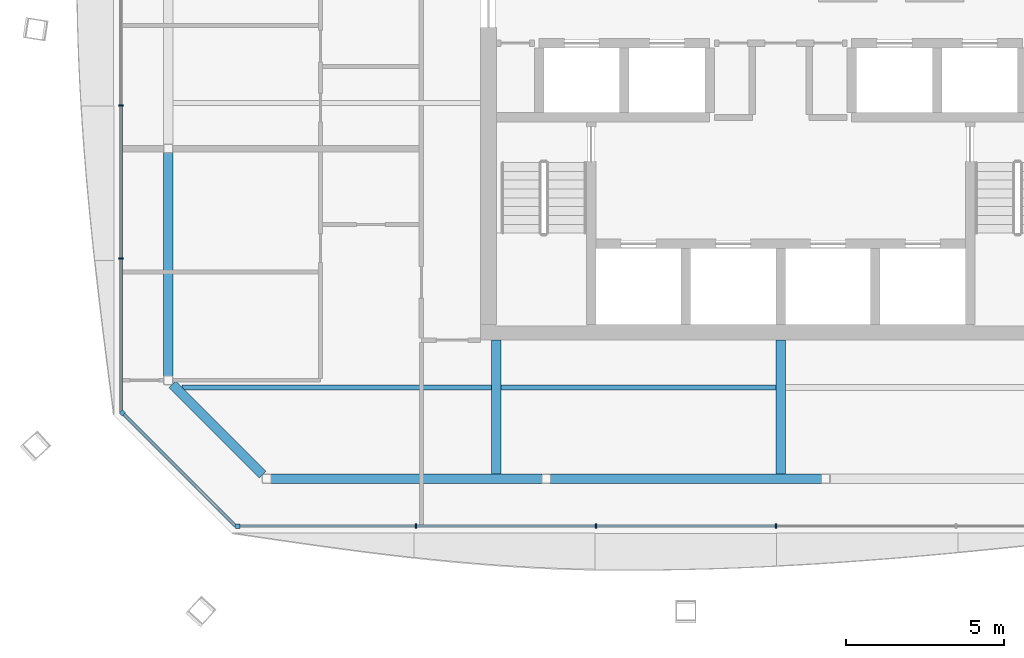
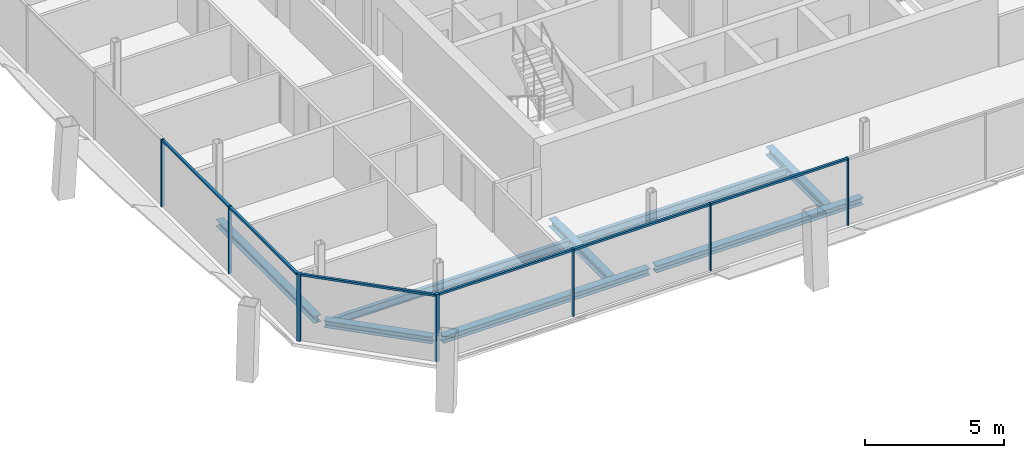
# One storey, part 3 of 15: 13 members, 8 beams, 3 elements without a shape of their own.
"""IFC4 building model written with IfcOpenShell, lengths in metres."""

from ifc_helpers import new_model, si_unit, direction, frame, origin, origin_2d, place, context, subcontext, project, spatial, rectangle, i_section, extrude, material, material_profile, profile_set, type_object, element, aggregate, save


model = new_model("IFC4")

# Units and contexts
model_context = context("Model", 3, precision=1e-05, world=origin(), true_north=direction((0.0, 1.0)))
body_context = subcontext(model_context, "Body", "Model", "MODEL_VIEW")
ifc_project = project(units=[si_unit("LENGTHUNIT", "METRE"), si_unit("AREAUNIT", "SQUARE_METRE"), si_unit("VOLUMEUNIT", "CUBIC_METRE"), si_unit("PLANEANGLEUNIT", "RADIAN"), si_unit("MASSUNIT", "GRAM", prefix="KILO")], contexts=[model_context])

# Site, building, storey
site_placement = place(None, origin())
site = spatial("IfcSite", under=ifc_project, at=site_placement, CompositionType="ELEMENT")
building_placement = place(site_placement, origin())
building = spatial("IfcBuilding", under=site, at=building_placement, Name="Tskaro Facet Tower", CompositionType="ELEMENT")
storey_placement = place(building_placement, frame((0.0, 0.0, 242.39990234375)))
storey = spatial("IfcBuildingStorey", under=building, at=storey_placement, Name="L63", CompositionType="ELEMENT", Elevation=242.39990234375)

# Curtain wall, member
ifc_material_1 = material(Name="Bronze anodised aluminium 6063-T6", Category="aluminium")
curtain_wall_type = type_object("IfcCurtainWallType", Name="Bronze residence curtain wall (FW3)", PredefinedType="NOTDEFINED", material=ifc_material_1)
curtain_wall_1_placement = place(storey_placement, origin())
curtain_wall_1 = element("IfcCurtainWall", 1, at=curtain_wall_1_placement, inside=storey, type_object=curtain_wall_type, Name="FW3 south facet L63", PredefinedType="NOTDEFINED")
ifc_material_profile_1 = material_profile(ifc_material_1, rectangle(XDim=0.139892578125, YDim=0.139892578125, at=origin_2d()), Name="Corner post 140x140")
ifc_profile_set_1 = profile_set([ifc_material_profile_1], Name="Bronze anodised aluminium 6063-T6")
member_type_1 = type_object("IfcMemberType", Name="FW3 bronze corner post 140x140", PredefinedType="MULLION", material=ifc_profile_set_1)
member_1_placement = place(storey_placement, frame((-17.18310546875, -17.888916015625, 0.0), z_axis=(0.0, 0.0, 1.0), x_axis=(1.0, 0.0, 0.0)))
member_1 = element("IfcMember", 2, at=member_1_placement, type_object=member_type_1, Name="FW3 south corner post", PredefinedType="MULLION", context=body_context, shape_type="SweptSolid", body=[
    extrude(rectangle(XDim=0.139892578125, YDim=0.139892578125, at=origin_2d()), origin(), (0.0, 0.0, 1.0), 2.9501953125),
])

curtain_wall_2_placement = place(storey_placement, origin())
curtain_wall_2 = element("IfcCurtainWall", 3, at=curtain_wall_2_placement, inside=storey, type_object=curtain_wall_type, Name="FW3 south-west facet L63", PredefinedType="NOTDEFINED")
member_2_placement = place(storey_placement, frame((-20.839599609375, -14.302490234375, 0.0), z_axis=(0.0, 0.0, 1.0), x_axis=(0.707106781187, -0.707106781187, 0.0)))
member_2 = element("IfcMember", 4, at=member_2_placement, type_object=member_type_1, Name="FW3 south-west corner post", PredefinedType="MULLION", context=body_context, shape_type="SweptSolid", body=[
    extrude(rectangle(XDim=0.139892578125, YDim=0.139892578125, at=origin_2d()), origin(), (0.0, 0.0, 1.0), 2.9501953125),
])

# Member
ifc_material_profile_2 = material_profile(ifc_material_1, rectangle(XDim=0.050048828125, YDim=0.139892578125, at=origin_2d()), Name="Mullion 50x140")
ifc_profile_set_2 = profile_set([ifc_material_profile_2], Name="Bronze anodised aluminium 6063-T6")
member_type_2 = type_object("IfcMemberType", Name="FW3 bronze mullion 50x140", PredefinedType="MULLION", material=ifc_profile_set_2)
member_3_placement = place(storey_placement, frame((-11.5517578125, -17.888916015625, 0.0), z_axis=(0.0, 0.0, 1.0), x_axis=(1.0, 0.0, 0.0)))
member_3 = element("IfcMember", 5, at=member_3_placement, type_object=member_type_2, Name="FW3 south mullion 1", PredefinedType="MULLION", context=body_context, shape_type="SweptSolid", body=[
    extrude(rectangle(XDim=0.050048828125, YDim=0.139892578125, at=origin_2d()), origin(), (0.0, 0.0, 1.0), 2.9501953125),
])

member_4_placement = place(storey_placement, frame((-5.8505859375, -17.888916015625, 0.0), z_axis=(0.0, 0.0, 1.0), x_axis=(1.0, 0.0, 0.0)))
member_4 = element("IfcMember", 6, at=member_4_placement, type_object=member_type_2, Name="FW3 south mullion 2", PredefinedType="MULLION", context=body_context, shape_type="SweptSolid", body=[
    extrude(rectangle(XDim=0.050048828125, YDim=0.139892578125, at=origin_2d()), origin(), (0.0, 0.0, 1.0), 2.9501953125),
])

member_5_placement = place(storey_placement, frame((-0.1494140625, -17.888916015625, 0.0), z_axis=(0.0, 0.0, 1.0), x_axis=(1.0, 0.0, 0.0)))
member_5 = element("IfcMember", 7, at=member_5_placement, type_object=member_type_2, Name="FW3 south mullion 3", PredefinedType="MULLION", context=body_context, shape_type="SweptSolid", body=[
    extrude(rectangle(XDim=0.050048828125, YDim=0.139892578125, at=origin_2d()), origin(), (0.0, 0.0, 1.0), 2.9501953125),
])

# Curtain wall, members
curtain_wall_3_placement = place(storey_placement, origin())
curtain_wall_3 = element("IfcCurtainWall", 8, at=curtain_wall_3_placement, inside=storey, type_object=curtain_wall_type, Name="FW3 west facet L63", PredefinedType="NOTDEFINED")
member_6_placement = place(storey_placement, frame((-20.888916015625, -4.572509765625, 0.0), z_axis=(0.0, 0.0, 1.0), x_axis=(0.0, -1.0, 0.0)))
member_6 = element("IfcMember", 9, at=member_6_placement, type_object=member_type_2, Name="FW3 west mullion 3", PredefinedType="MULLION", context=body_context, shape_type="SweptSolid", body=[
    extrude(rectangle(XDim=0.050048828125, YDim=0.139892578125, at=origin_2d()), origin(), (0.0, 0.0, 1.0), 2.9501953125),
])
member_7_placement = place(storey_placement, frame((-20.888916015625, -9.412841796875, 0.0), z_axis=(0.0, 0.0, 1.0), x_axis=(0.0, -1.0, 0.0)))
member_7 = element("IfcMember", 10, at=member_7_placement, type_object=member_type_2, Name="FW3 west mullion 4", PredefinedType="MULLION", context=body_context, shape_type="SweptSolid", body=[
    extrude(rectangle(XDim=0.050048828125, YDim=0.139892578125, at=origin_2d()), origin(), (0.0, 0.0, 1.0), 2.9501953125),
])

# Member
ifc_material_profile_3 = material_profile(ifc_material_1, rectangle(XDim=0.10009765625, YDim=0.090087890625, at=origin_2d()), Name="Transom 100x90")
ifc_profile_set_3 = profile_set([ifc_material_profile_3], Name="Bronze anodised aluminium 6063-T6")
member_type_3 = type_object("IfcMemberType", Name="FW3 bronze transom 100x90", PredefinedType="USERDEFINED", material=ifc_profile_set_3)
member_8_placement = place(storey_placement, frame((-17.113037109375, -17.888916015625, 2.905029296875), z_axis=(1.0, 0.0, 0.0), x_axis=(0.0, 1.0, 0.0)))
member_8 = element("IfcMember", 11, at=member_8_placement, type_object=member_type_3, Name="FW3 south transom 1.1", ObjectType="TRANSOM", PredefinedType="USERDEFINED", context=body_context, shape_type="SweptSolid", body=[
    extrude(rectangle(XDim=0.10009765625, YDim=0.090087890625, at=origin_2d()), origin(), (0.0, 0.0, 1.0), 5.5361328125),
])

member_9_placement = place(storey_placement, frame((-11.52685546875, -17.888916015625, 2.905029296875), z_axis=(1.0, 0.0, 0.0), x_axis=(0.0, 1.0, 0.0)))
member_9 = element("IfcMember", 12, at=member_9_placement, type_object=member_type_3, Name="FW3 south transom 2.1", ObjectType="TRANSOM", PredefinedType="USERDEFINED", context=body_context, shape_type="SweptSolid", body=[
    extrude(rectangle(XDim=0.10009765625, YDim=0.090087890625, at=origin_2d()), origin(), (0.0, 0.0, 1.0), 5.6513671875),
])

member_10_placement = place(storey_placement, frame((-5.82568359375, -17.888916015625, 2.905029296875), z_axis=(1.0, 0.0, 0.0), x_axis=(0.0, 1.0, 0.0)))
member_10 = element("IfcMember", 13, at=member_10_placement, type_object=member_type_3, Name="FW3 south transom 3.1", ObjectType="TRANSOM", PredefinedType="USERDEFINED", context=body_context, shape_type="SweptSolid", body=[
    extrude(rectangle(XDim=0.10009765625, YDim=0.090087890625, at=origin_2d()), origin(), (0.0, 0.0, 1.0), 5.6513671875),
])

aggregate(curtain_wall_1, [member_1, member_3, member_4, member_5, member_8, member_9, member_10])

member_11_placement = place(storey_placement, frame((-20.888916015625, -4.59765625, 2.905029296875), z_axis=(0.0, -1.0, 0.0), x_axis=(1.0, 0.0, 0.0)))
member_11 = element("IfcMember", 14, at=member_11_placement, type_object=member_type_3, Name="FW3 west transom 4.1", ObjectType="TRANSOM", PredefinedType="USERDEFINED", context=body_context, shape_type="SweptSolid", body=[
    extrude(rectangle(XDim=0.10009765625, YDim=0.090087890625, at=origin_2d()), origin(), (0.0, 0.0, 1.0), 4.7900390625),
])

member_12_placement = place(storey_placement, frame((-20.888916015625, -9.437744140625, 2.905029296875), z_axis=(0.0, -1.0, 0.0), x_axis=(1.0, 0.0, 0.0)))
member_12 = element("IfcMember", 15, at=member_12_placement, type_object=member_type_3, Name="FW3 west transom 5.1", ObjectType="TRANSOM", PredefinedType="USERDEFINED", context=body_context, shape_type="SweptSolid", body=[
    extrude(rectangle(XDim=0.10009765625, YDim=0.090087890625, at=origin_2d()), origin(), (0.0, 0.0, 1.0), 4.815185546875),
])

aggregate(curtain_wall_3, [member_6, member_7, member_11, member_12])

member_13_placement = place(storey_placement, frame((-20.7900390625, -14.35205078125, 2.905029296875), z_axis=(0.707131184796, -0.707082376735, 0.0), x_axis=(0.707082376735, 0.707131184796, 0.0)))
member_13 = element("IfcMember", 16, at=member_13_placement, type_object=member_type_3, Name="FW3 south-west transom 1.1", ObjectType="TRANSOM", PredefinedType="USERDEFINED", context=body_context, shape_type="SweptSolid", body=[
    extrude(rectangle(XDim=0.10009765625, YDim=0.090087890625, at=origin_2d()), origin(), (0.0, 0.0, 1.0), 5.001953125),
])

aggregate(curtain_wall_2, [member_2, member_13])

# Beams
ifc_material_2 = material(Name="Steel S355J2", Category="steel")
ifc_material_profile_4 = material_profile(ifc_material_2, i_section(OverallWidth=0.300048828125, OverallDepth=0.300048828125, WebThickness=0.010986328125, FlangeThickness=0.01904296875, FilletRadius=0.027099609375, at=origin_2d()), Name="HE 300 B")
ifc_profile_set_4 = profile_set([ifc_material_profile_4], Name="Steel S355J2")
beam_type_1 = type_object("IfcBeamType", Name="HE 300 B ring beam", PredefinedType="BEAM", material=ifc_profile_set_4)
beam_1_placement = place(storey_placement, frame((-16.137939453125, -16.39111328125, -0.289794921875), z_axis=(1.0, 0.0, 0.0), x_axis=(0.0, 1.0, 0.0)))
element("IfcBeam", 17, at=beam_1_placement, inside=storey, type_object=beam_type_1, Name="HE 300 B EB1-5", PredefinedType="BEAM", context=body_context, shape_type="SweptSolid", body=[
    extrude(i_section(OverallWidth=0.300048828125, OverallDepth=0.300048828125, WebThickness=0.010986328125, FlangeThickness=0.01904296875, FilletRadius=0.027099609375, at=origin_2d()), origin(), (0.0, 0.0, 1.0), 8.5849609375),
])
beam_2_placement = place(storey_placement, frame((-7.29296875, -16.39111328125, -0.289794921875), z_axis=(1.0, 0.0, 0.0), x_axis=(0.0, 1.0, 0.0)))
element("IfcBeam", 18, at=beam_2_placement, inside=storey, type_object=beam_type_1, Name="HE 300 B EB2-5", PredefinedType="BEAM", context=body_context, shape_type="SweptSolid", body=[
    extrude(i_section(OverallWidth=0.300048828125, OverallDepth=0.300048828125, WebThickness=0.010986328125, FlangeThickness=0.01904296875, FilletRadius=0.027099609375, at=origin_2d()), origin(), (0.0, 0.0, 1.0), 8.5859375),
])
beam_3_placement = place(storey_placement, frame((-19.39111328125, -6.06689453125, -0.289794921875), z_axis=(0.0, -1.0, 0.0), x_axis=(1.0, 0.0, 0.0)))
element("IfcBeam", 19, at=beam_3_placement, inside=storey, type_object=beam_type_1, Name="HE 300 B EB16-5", PredefinedType="BEAM", context=body_context, shape_type="SweptSolid", body=[
    extrude(i_section(OverallWidth=0.300048828125, OverallDepth=0.300048828125, WebThickness=0.010986328125, FlangeThickness=0.01904296875, FilletRadius=0.027099609375, at=origin_2d()), origin(), (0.0, 0.0, 1.0), 7.071044921875),
])
beam_4_placement = place(storey_placement, frame((-19.255126953125, -13.40380859375, -0.289794921875), z_axis=(0.707106781187, -0.707106781187, 0.0), x_axis=(0.707106781187, 0.707106781187, 0.0)))
element("IfcBeam", 20, at=beam_4_placement, inside=storey, type_object=beam_type_1, Name="HE 300 B EB17-5", PredefinedType="BEAM", context=body_context, shape_type="SweptSolid", body=[
    extrude(i_section(OverallWidth=0.300048828125, OverallDepth=0.300048828125, WebThickness=0.010986328125, FlangeThickness=0.01904296875, FilletRadius=0.027099609375, at=origin_2d()), origin(), (0.0, 0.0, 1.0), 4.032470703125),
])
ifc_material_profile_5 = material_profile(ifc_material_2, i_section(OverallWidth=0.300048828125, OverallDepth=0.35009765625, WebThickness=0.010009765625, FlangeThickness=0.017578125, FilletRadius=0.027099609375, at=origin_2d()), Name="HE 360 A")
ifc_profile_set_5 = profile_set([ifc_material_profile_5], Name="Steel S355J2")
beam_type_2 = type_object("IfcBeamType", Name="HE 360 A girder", PredefinedType="BEAM", material=ifc_profile_set_5)
for number, where, z_axis, x_axis, name in (
    (21, (-9.0, -16.240966796875, -0.31494140625), (0.0, 1.0, 0.0), (-1.0, 0.0, 0.0), "HE 360 A GB3-1-5"),
    (22, (0.0, -16.240966796875, -0.31494140625), (0.0, 1.0, 0.0), (-1.0, 0.0, 0.0), "HE 360 A GB4-1-5"),
):
    element("IfcBeam", number, at=place(storey_placement, frame(where, z_axis=z_axis, x_axis=x_axis)), inside=storey, type_object=beam_type_2, Name=name, PredefinedType="BEAM", context=body_context, shape_type="SweptSolid", body=[
        extrude(i_section(OverallWidth=0.300048828125, OverallDepth=0.35009765625, WebThickness=0.010009765625, FlangeThickness=0.017578125, FilletRadius=0.027099609375, at=origin_2d()), origin(), (0.0, 0.0, 1.0), 4.240966796875),
    ])
ifc_material_profile_6 = material_profile(ifc_material_2, i_section(OverallWidth=0.159912109375, OverallDepth=0.330078125, WebThickness=0.007568359375, FlangeThickness=0.011474609375, FilletRadius=0.01806640625, at=origin_2d()), Name="IPE 330")
ifc_profile_set_6 = profile_set([ifc_material_profile_6], Name="Steel S355J2")
beam_type_3 = type_object("IfcBeamType", Name="IPE 330 secondary beam", PredefinedType="BEAM", material=ifc_profile_set_6)
beam_5_placement = place(storey_placement, frame((-18.947021484375, -13.5, -0.304931640625), z_axis=(1.0, 0.0, 0.0), x_axis=(0.0, 1.0, 0.0)))
element("IfcBeam", 23, at=beam_5_placement, inside=storey, type_object=beam_type_3, Name="IPE 330 SB2a-1-5", PredefinedType="BEAM", context=body_context, shape_type="SweptSolid", body=[
    extrude(i_section(OverallWidth=0.159912109375, OverallDepth=0.330078125, WebThickness=0.007568359375, FlangeThickness=0.011474609375, FilletRadius=0.01806640625, at=origin_2d()), origin(), (0.0, 0.0, 1.0), 9.797119140625),
])
beam_6_placement = place(storey_placement, frame((-8.85009765625, -13.5, -0.304931640625), z_axis=(1.0, 0.0, 0.0), x_axis=(0.0, 1.0, 0.0)))
element("IfcBeam", 24, at=beam_6_placement, inside=storey, type_object=beam_type_3, Name="IPE 330 SB2a-2-5", PredefinedType="BEAM", context=body_context, shape_type="SweptSolid", body=[
    extrude(i_section(OverallWidth=0.159912109375, OverallDepth=0.330078125, WebThickness=0.007568359375, FlangeThickness=0.011474609375, FilletRadius=0.01806640625, at=origin_2d()), origin(), (0.0, 0.0, 1.0), 8.7001953125),
])

save(model, "model.ifc")
